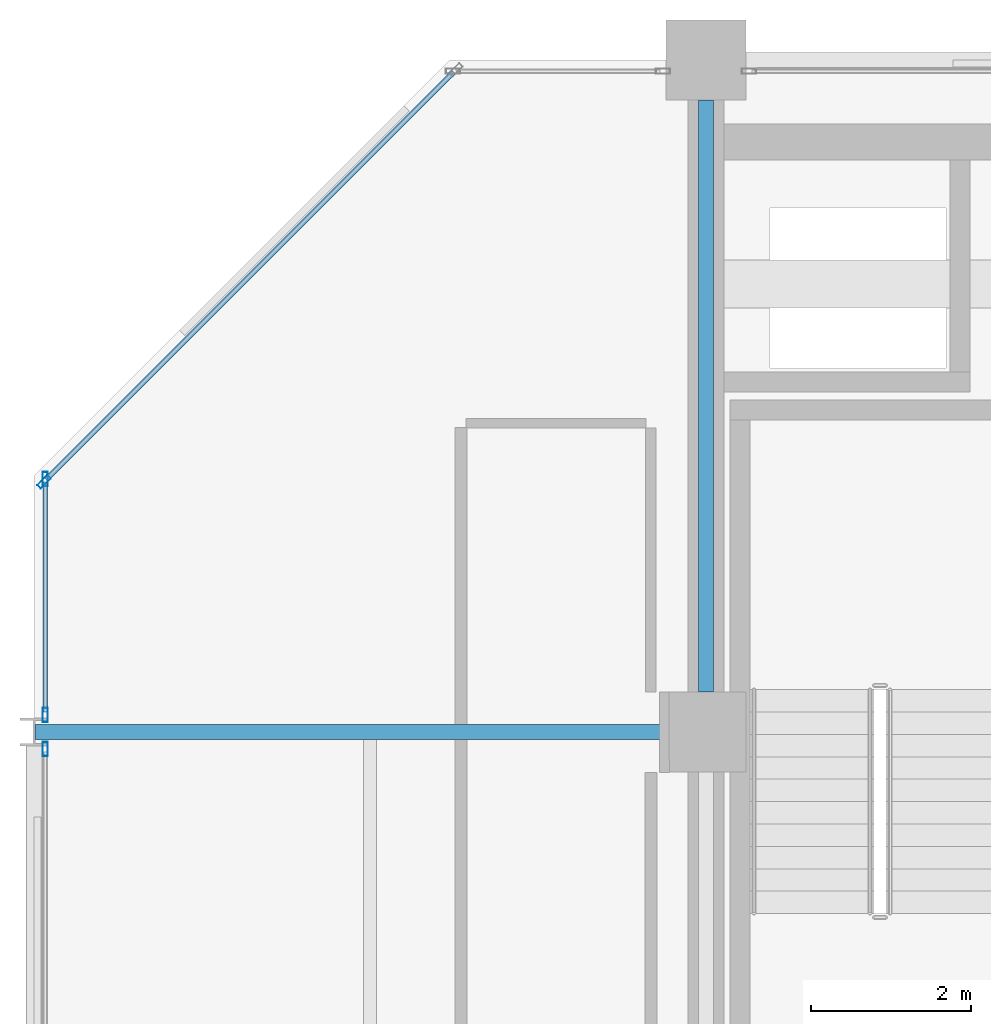
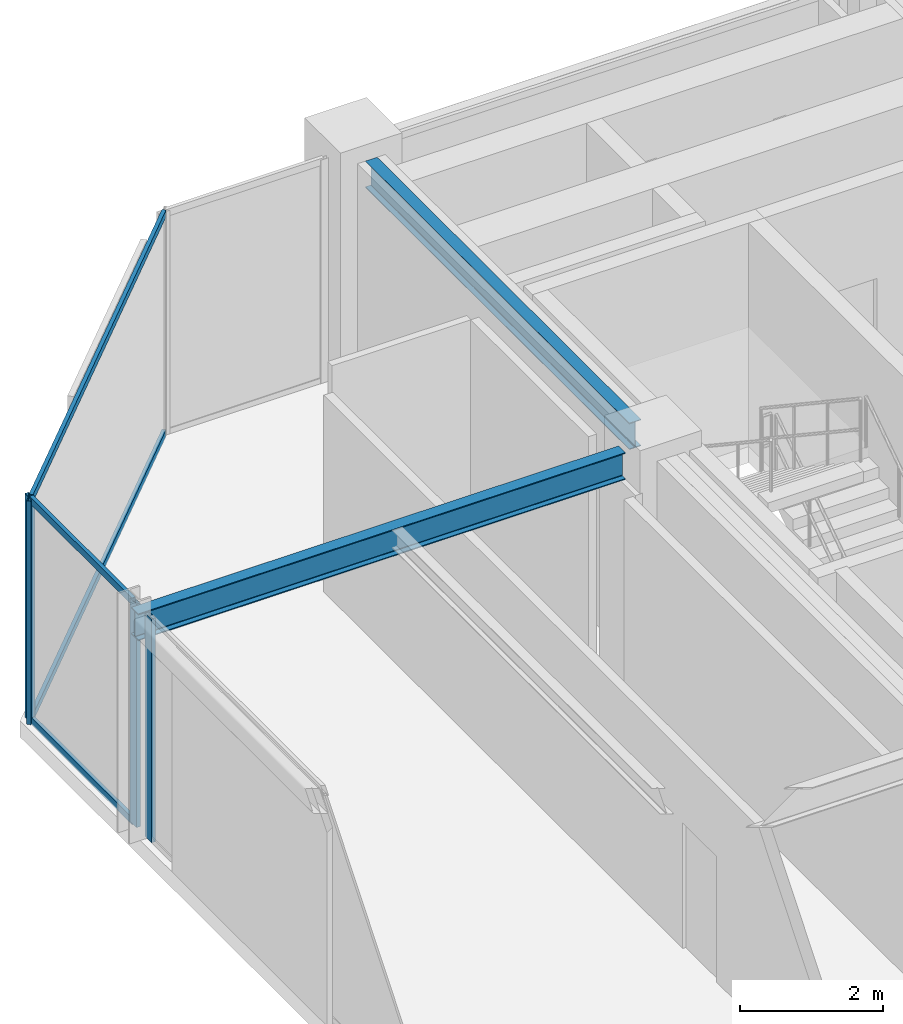
# One storey, part 16 of 25: 8 members, 2 beams, 3 elements without a shape of their own.
"""IFC4 building model written with IfcOpenShell, lengths in metres."""

from ifc_helpers import new_model, si_unit, direction, frame, origin, origin_2d, place, context, subcontext, project, spatial, hollow_rectangle, i_section, extrude, material, layer, layer_set, material_profile, profile_set, type_object, element, aggregate, save


model = new_model("IFC4")

# Units and contexts
model_context = context("Model", 3, precision=1e-05, world=origin(), true_north=direction((0.0, 1.0)))
body_context = subcontext(model_context, "Body", "Model", "MODEL_VIEW")
ifc_project = project(units=[si_unit("LENGTHUNIT", "METRE"), si_unit("AREAUNIT", "SQUARE_METRE"), si_unit("VOLUMEUNIT", "CUBIC_METRE"), si_unit("PLANEANGLEUNIT", "RADIAN"), si_unit("MASSUNIT", "GRAM", prefix="KILO")], contexts=[model_context])

# Site, building, storey
site_placement = place(None, origin())
site = spatial("IfcSite", under=ifc_project, at=site_placement, CompositionType="ELEMENT")
building_placement = place(site_placement, origin())
building = spatial("IfcBuilding", under=site, at=building_placement, Name="Nerrivon Quay Data Exchange", CompositionType="ELEMENT")
storey_placement = place(building_placement, frame((0.0, 0.0, 224.699951171875)))
storey = spatial("IfcBuildingStorey", under=building, at=storey_placement, Name="L53", CompositionType="ELEMENT", Elevation=224.699951171875)

# Beams
ifc_material_1 = material(Name="Steel Grade 350", Category="steel")
ifc_material_profile_1 = material_profile(ifc_material_1, i_section(OverallWidth=0.19091796875, OverallDepth=0.4599609375, WebThickness=0.010009765625, FlangeThickness=0.01611328125, FilletRadius=0.011474609375, at=origin_2d()), Name="460UB82.1")
ifc_profile_set_1 = profile_set([ifc_material_profile_1], Name="Steel Grade 350")
beam_type_1 = type_object("IfcBeamType", Name="BM-G5-460UB82", PredefinedType="BEAM", material=ifc_profile_set_1)
beam_1_placement = place(storey_placement, frame((0.010009765625, 33.60009765625, 3.594970703125), z_axis=(1.0, 0.0, 0.0), x_axis=(0.0, 1.0, 0.0)))
element("IfcBeam", 1, at=beam_1_placement, inside=storey, type_object=beam_type_1, Name="L53 EW Girder Y=33.6 (0.0..8.4)", PredefinedType="BEAM", context=body_context, shape_type="SweptSolid", body=[
    extrude(i_section(OverallWidth=0.19091796875, OverallDepth=0.4599609375, WebThickness=0.010009765625, FlangeThickness=0.01611328125, FilletRadius=0.011474609375, at=origin_2d()), origin(), (0.0, 0.0, 1.0), 7.889892578125),
])
ifc_material_profile_2 = material_profile(ifc_material_1, i_section(OverallWidth=0.18994140625, OverallDepth=0.4541015625, WebThickness=0.008544921875, FlangeThickness=0.0126953125, FilletRadius=0.011474609375, at=origin_2d()), Name="460UB67.1")
ifc_profile_set_2 = profile_set([ifc_material_profile_2], Name="Steel Grade 350")
beam_type_2 = type_object("IfcBeamType", Name="BM-G6-460UB67", PredefinedType="BEAM", material=ifc_profile_set_2)
beam_2_placement = place(storey_placement, frame((8.39990234375, 34.10009765625, 3.59814453125), z_axis=(0.0, 1.0, 0.0), x_axis=(-1.0, 0.0, 0.0)))
element("IfcBeam", 2, at=beam_2_placement, inside=storey, type_object=beam_type_2, Name="L53 NS Girder X=8.4 (33.6..42.0)", PredefinedType="BEAM", context=body_context, shape_type="SweptSolid", body=[
    extrude(i_section(OverallWidth=0.18994140625, OverallDepth=0.4541015625, WebThickness=0.008544921875, FlangeThickness=0.0126953125, FilletRadius=0.011474609375, at=origin_2d()), origin(), (0.0, 0.0, 1.0), 7.39990234375),
])

# Curtain wall, member
ifc_material_2 = material(Name="Anodised aluminium 6063-T6", Category="aluminium")
ifc_layer = layer(ifc_material_2, 0.195068359375)
ifc_layer_set = layer_set([ifc_layer], Name="Anodised aluminium 6063-T6")
curtain_wall_type = type_object("IfcCurtainWallType", Name="CW-SYS-06", PredefinedType="NOTDEFINED", material=ifc_layer_set)
curtain_wall_1_placement = place(storey_placement, origin())
curtain_wall_1 = element("IfcCurtainWall", 3, at=curtain_wall_1_placement, inside=storey, type_object=curtain_wall_type, Name="L53 Unitised Curtain Wall 14", PredefinedType="NOTDEFINED")
ifc_material_profile_3 = material_profile(ifc_material_2, hollow_rectangle(XDim=0.06494140625, YDim=0.179931640625, WallThickness=0.00341796875, at=origin_2d()), Name="ALU-MULL-180x65")
ifc_profile_set_3 = profile_set([ifc_material_profile_3], Name="Anodised aluminium 6063-T6")
member_type_1 = type_object("IfcMemberType", Name="CWM-180x65", PredefinedType="MULLION", material=ifc_profile_set_3)
member_1_placement = place(storey_placement, frame((0.139892578125, 33.387451171875, 0.0), z_axis=(0.0, 0.0, 1.0), x_axis=(-1.0, 0.0, 0.0)))
member_1 = element("IfcMember", 4, at=member_1_placement, type_object=member_type_1, Name="CW06 mullion 2", PredefinedType="MULLION", context=body_context, shape_type="SweptSolid", body=[
    extrude(hollow_rectangle(XDim=0.06494140625, YDim=0.179931640625, WallThickness=0.00341796875, at=origin_2d()), origin(), (0.0, 0.0, 1.0), 3.824951171875),
])
aggregate(curtain_wall_1, [member_1])

# Curtain wall, members
curtain_wall_2_placement = place(storey_placement, origin())
curtain_wall_2 = element("IfcCurtainWall", 5, at=curtain_wall_2_placement, inside=storey, type_object=curtain_wall_type, Name="L53 Unitised Curtain Wall 15", PredefinedType="NOTDEFINED")
member_2_placement = place(storey_placement, frame((0.139892578125, 33.8125, 0.0), z_axis=(0.0, 0.0, 1.0), x_axis=(-1.0, 0.0, 0.0)))
member_2 = element("IfcMember", 6, at=member_2_placement, type_object=member_type_1, Name="CW06 mullion 1", PredefinedType="MULLION", context=body_context, shape_type="SweptSolid", body=[
    extrude(hollow_rectangle(XDim=0.06494140625, YDim=0.179931640625, WallThickness=0.00341796875, at=origin_2d()), origin(), (0.0, 0.0, 1.0), 3.824951171875),
])
member_3_placement = place(storey_placement, frame((0.139892578125, 36.762451171875, 0.0), z_axis=(0.0, 0.0, 1.0), x_axis=(-1.0, 0.0, 0.0)))
member_3 = element("IfcMember", 7, at=member_3_placement, type_object=member_type_1, Name="CW06 mullion 2", PredefinedType="MULLION", context=body_context, shape_type="SweptSolid", body=[
    extrude(hollow_rectangle(XDim=0.06494140625, YDim=0.179931640625, WallThickness=0.00341796875, at=origin_2d()), origin(), (0.0, 0.0, 1.0), 3.824951171875),
])

# Curtain wall, member
curtain_wall_3_placement = place(storey_placement, origin())
curtain_wall_3 = element("IfcCurtainWall", 8, at=curtain_wall_3_placement, inside=storey, type_object=curtain_wall_type, Name="L53 Unitised Curtain Wall 16", PredefinedType="NOTDEFINED")
member_4_placement = place(storey_placement, frame((0.12548828125, 36.7275390625, 0.0), z_axis=(0.0, 0.0, 1.0), x_axis=(-0.707106781187, 0.707106781187, 0.0)))
member_4 = element("IfcMember", 9, at=member_4_placement, type_object=member_type_1, Name="CW06 mullion 1", PredefinedType="MULLION", context=body_context, shape_type="SweptSolid", body=[
    extrude(hollow_rectangle(XDim=0.06494140625, YDim=0.179931640625, WallThickness=0.00341796875, at=origin_2d()), origin(), (0.0, 0.0, 1.0), 3.824951171875),
])

# Member
ifc_material_profile_4 = material_profile(ifc_material_2, hollow_rectangle(XDim=0.06005859375, YDim=0.1201171875, WallThickness=0.003173828125, at=origin_2d()), Name="ALU-TRAN-120x60")
ifc_profile_set_4 = profile_set([ifc_material_profile_4], Name="Anodised aluminium 6063-T6")
member_type_2 = type_object("IfcMemberType", Name="CWT-120x60", PredefinedType="USERDEFINED", material=ifc_profile_set_4)
member_5_placement = place(storey_placement, frame((0.139892578125, 33.85009765625, 0.032470703125), z_axis=(0.0, 1.0, 0.0), x_axis=(-1.0, 0.0, 0.0)))
member_5 = element("IfcMember", 10, at=member_5_placement, type_object=member_type_2, Name="CW06 transom 1.1", ObjectType="TRANSOM", PredefinedType="USERDEFINED", context=body_context, shape_type="SweptSolid", body=[
    extrude(hollow_rectangle(XDim=0.06005859375, YDim=0.1201171875, WallThickness=0.003173828125, at=origin_2d()), origin(), (0.0, 0.0, 1.0), 2.875),
])

member_6_placement = place(storey_placement, frame((0.139892578125, 33.85009765625, 3.79248046875), z_axis=(0.0, 1.0, 0.0), x_axis=(-1.0, 0.0, 0.0)))
member_6 = element("IfcMember", 11, at=member_6_placement, type_object=member_type_2, Name="CW06 transom 1.2", ObjectType="TRANSOM", PredefinedType="USERDEFINED", context=body_context, shape_type="SweptSolid", body=[
    extrude(hollow_rectangle(XDim=0.06005859375, YDim=0.1201171875, WallThickness=0.003173828125, at=origin_2d()), origin(), (0.0, 0.0, 1.0), 2.875),
])

aggregate(curtain_wall_2, [member_2, member_3, member_5, member_6])

member_7_placement = place(storey_placement, frame((0.152099609375, 36.754150390625, 0.032470703125), z_axis=(0.707106781187, 0.707106781187, 0.0), x_axis=(-0.707106781187, 0.707106781187, 0.0)))
member_7 = element("IfcMember", 12, at=member_7_placement, type_object=member_type_2, Name="CW06 transom 1.1", ObjectType="TRANSOM", PredefinedType="USERDEFINED", context=body_context, shape_type="SweptSolid", body=[
    extrude(hollow_rectangle(XDim=0.06005859375, YDim=0.1201171875, WallThickness=0.003173828125, at=origin_2d()), origin(), (0.0, 0.0, 1.0), 7.20361328125),
])

member_8_placement = place(storey_placement, frame((0.152099609375, 36.754150390625, 3.79248046875), z_axis=(0.707106781187, 0.707106781187, 0.0), x_axis=(-0.707106781187, 0.707106781187, 0.0)))
member_8 = element("IfcMember", 13, at=member_8_placement, type_object=member_type_2, Name="CW06 transom 1.2", ObjectType="TRANSOM", PredefinedType="USERDEFINED", context=body_context, shape_type="SweptSolid", body=[
    extrude(hollow_rectangle(XDim=0.06005859375, YDim=0.1201171875, WallThickness=0.003173828125, at=origin_2d()), origin(), (0.0, 0.0, 1.0), 7.20361328125),
])

aggregate(curtain_wall_3, [member_4, member_7, member_8])

save(model, "model.ifc")
